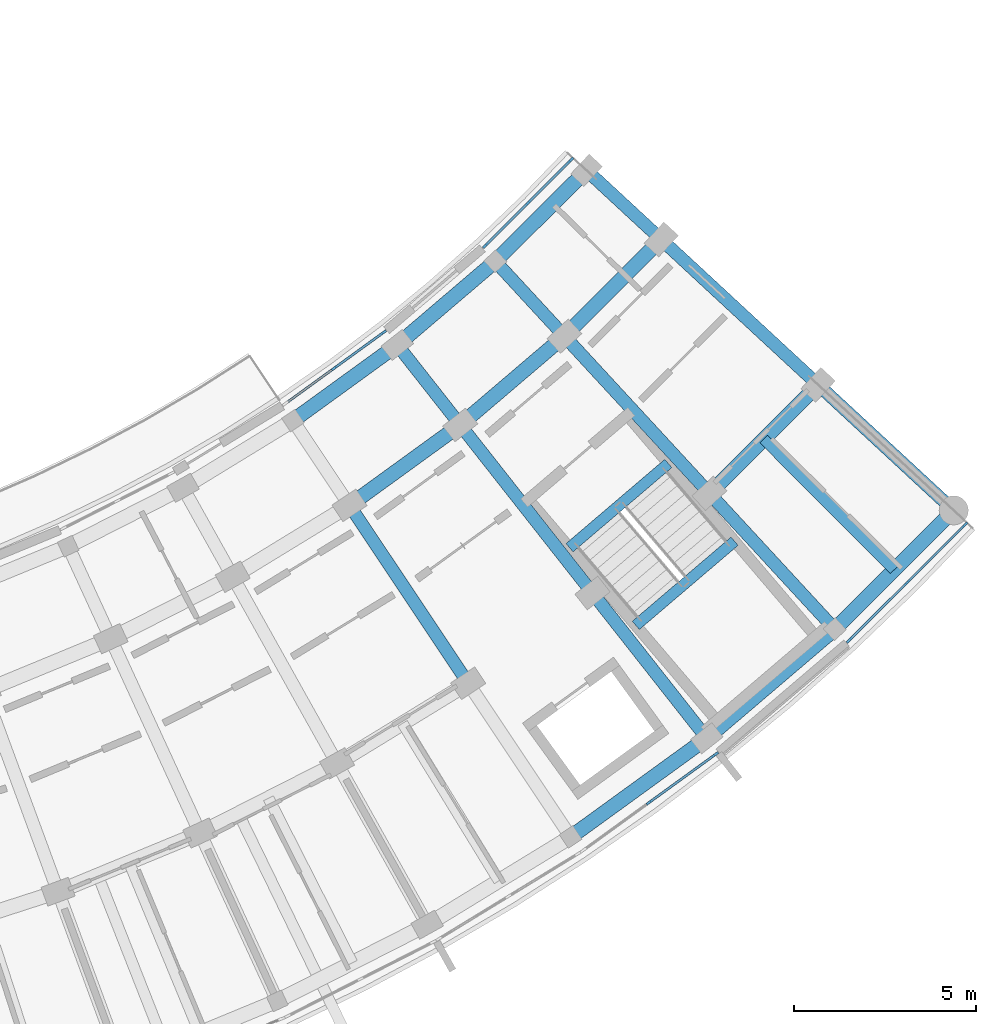
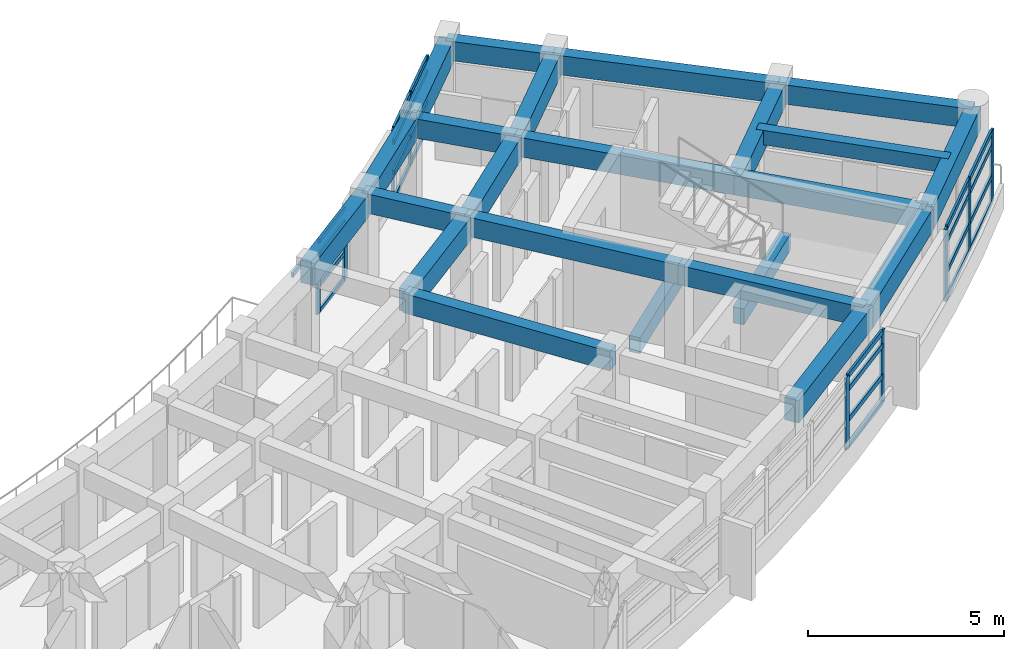
# One storey, part 19 of 56: 35 members, 23 beams, 4 elements without a shape of their own.
"""IFC4 building model written with IfcOpenShell, lengths in metres."""

from ifc_helpers import new_model, si_unit, direction, frame, origin, origin_2d, place, context, subcontext, project, spatial, rectangle, extrude, material, material_profile, profile_set, type_object, element, aggregate, save


model = new_model("IFC4")

# Units and contexts
model_context = context("Model", 3, precision=1e-05, world=origin(), true_north=direction((0.0, 1.0)))
body_context = subcontext(model_context, "Body", "Model", "MODEL_VIEW")
ifc_project = project(units=[si_unit("LENGTHUNIT", "METRE"), si_unit("AREAUNIT", "SQUARE_METRE"), si_unit("VOLUMEUNIT", "CUBIC_METRE"), si_unit("PLANEANGLEUNIT", "RADIAN"), si_unit("MASSUNIT", "GRAM", prefix="KILO")], contexts=[model_context])

# Site, building, storey
site_placement = place(None, origin())
site = spatial("IfcSite", under=ifc_project, at=site_placement, CompositionType="ELEMENT")
building_placement = place(site_placement, origin())
building = spatial("IfcBuilding", under=site, at=building_placement, Name="Zimvara Arc Housing Community", CompositionType="ELEMENT")
storey_placement = place(building_placement, frame((0.0, 0.0, 17.39990234375)))
storey = spatial("IfcBuildingStorey", under=building, at=storey_placement, Name="L05", CompositionType="ELEMENT", Elevation=17.39990234375)

# Beams
ifc_material_1 = material(Name="Concrete C40/50", Category="concrete")
ifc_material_profile_1 = material_profile(ifc_material_1, rectangle(XDim=0.300048828125, YDim=0.449951171875, at=origin_2d()), Name="RC 300x450")
ifc_profile_set_1 = profile_set([ifc_material_profile_1], Name="Concrete C40/50")
beam_type_1 = type_object("IfcBeamType", Name="BM-RC-300x450", PredefinedType="JOIST", material=ifc_profile_set_1)
beam_1_placement = place(storey_placement, frame((163.959716796875, 71.813720703125, 2.64501953125), z_axis=(0.706529394337, -0.707683696956, 0.0), x_axis=(0.707683696956, 0.706529394337, 0.0)))
element("IfcBeam", 1, at=beam_1_placement, inside=storey, type_object=beam_type_1, Name="bm:blkD:L05:joist:b9", PredefinedType="JOIST", context=body_context, shape_type="SweptSolid", body=[
    extrude(rectangle(XDim=0.300048828125, YDim=0.449951171875, at=origin_2d()), origin(), (0.0, 0.0, 1.0), 5.076171875),
])
ifc_material_2 = material(Name="Concrete C40/50", Category="concrete")
ifc_material_profile_2 = material_profile(ifc_material_2, rectangle(XDim=0.300048828125, YDim=0.5, at=origin_2d()), Name="RC 300x500")
ifc_profile_set_2 = profile_set([ifc_material_profile_2], Name="Concrete C40/50")
beam_type_2 = type_object("IfcBeamType", Name="BM-RC-300x500", PredefinedType="BEAM", material=ifc_profile_set_2)
for number, where, z_axis, x_axis, name in (
    (2, (158.617919921875, 68.826904296875, -0.25), (0.760986863652, 0.648767287515, 0.0), (-0.648767287515, 0.760986863652, 0.0), "bm:stair_trim:ST-D2:L05:near"),
    (3, (160.439697265625, 66.690185546875, 1.300048828125), (0.760986863652, 0.648767287515, 0.0), (-0.648767287515, 0.760986863652, 0.0), "bm:stair_trim:ST-D2:L05:mid"),
):
    element("IfcBeam", number, at=place(storey_placement, frame(where, z_axis=z_axis, x_axis=x_axis)), inside=storey, type_object=beam_type_2, Name=name, PredefinedType="BEAM", context=body_context, shape_type="SweptSolid", body=[
        extrude(rectangle(XDim=0.300048828125, YDim=0.5, at=origin_2d()), origin(), (0.0, 0.0, 1.0), 3.570068359375),
    ])
ifc_material_3 = material(Name="Concrete C40/50", Category="concrete")
ifc_material_profile_3 = material_profile(ifc_material_3, rectangle(XDim=0.35009765625, YDim=0.60009765625, at=origin_2d()), Name="RC 350x600")
ifc_profile_set_3 = profile_set([ifc_material_profile_3], Name="Concrete C40/50")
beam_type_3 = type_object("IfcBeamType", Name="BM-RC-350x600", PredefinedType="BEAM", material=ifc_profile_set_3)
beam_2_placement = place(storey_placement, frame((152.568115234375, 69.99267578125, 2.570068359375), z_axis=(0.554843914175, -0.831954464441, 0.0), x_axis=(0.831954464441, 0.554843914175, 0.0)))
element("IfcBeam", 4, at=beam_2_placement, inside=storey, type_object=beam_type_3, Name="bm:blkD:L05:rad:b7:r12", PredefinedType="BEAM", context=body_context, shape_type="SweptSolid", body=[
    extrude(rectangle(XDim=0.35009765625, YDim=0.60009765625, at=origin_2d()), origin(), (0.0, 0.0, 1.0), 5.8798828125),
])
beam_3_placement = place(storey_placement, frame((153.882568359375, 74.402099609375, 2.570068359375), z_axis=(0.618379767762, -0.785879420028, 0.0), x_axis=(0.785879420028, 0.618379767762, 0.0)))
element("IfcBeam", 5, at=beam_3_placement, inside=storey, type_object=beam_type_3, Name="bm:blkD:L05:rad:b8:r01", PredefinedType="BEAM", context=body_context, shape_type="SweptSolid", body=[
    extrude(rectangle(XDim=0.35009765625, YDim=0.60009765625, at=origin_2d()), origin(), (0.0, 0.0, 1.0), 2.800048828125),
])
beam_4_placement = place(storey_placement, frame((155.614013671875, 72.20166015625, 2.570068359375), z_axis=(0.618431976389, -0.785838336161, 0.0), x_axis=(0.785838336161, 0.618431976389, 0.0)))
element("IfcBeam", 6, at=beam_4_placement, inside=storey, type_object=beam_type_3, Name="bm:blkD:L05:rad:b8:r12", PredefinedType="BEAM", context=body_context, shape_type="SweptSolid", body=[
    extrude(rectangle(XDim=0.35009765625, YDim=0.60009765625, at=origin_2d()), origin(), (0.0, 0.0, 1.0), 5.880126953125),
])
beam_5_placement = place(storey_placement, frame((159.25048828125, 67.580810546875, 2.570068359375), z_axis=(0.618409338539, -0.785856150964, 0.0), x_axis=(0.785856150964, 0.618409338539, 0.0)))
element("IfcBeam", 7, at=beam_5_placement, inside=storey, type_object=beam_type_3, Name="bm:blkD:L05:rad:b8:r23", PredefinedType="BEAM", context=body_context, shape_type="SweptSolid", body=[
    extrude(rectangle(XDim=0.35009765625, YDim=0.60009765625, at=origin_2d()), origin(), (0.0, 0.0, 1.0), 5.079833984375),
])
beam_6_placement = place(storey_placement, frame((156.57861328125, 76.70068359375, 2.570068359375), z_axis=(0.678109874626, -0.734960541754, 0.0), x_axis=(0.734960541754, 0.678109874626, 0.0)))
element("IfcBeam", 8, at=beam_6_placement, inside=storey, type_object=beam_type_3, Name="bm:blkD:L05:rad:b9:r01", PredefinedType="BEAM", context=body_context, shape_type="SweptSolid", body=[
    extrude(rectangle(XDim=0.35009765625, YDim=0.60009765625, at=origin_2d()), origin(), (0.0, 0.0, 1.0), 2.800048828125),
])
beam_7_placement = place(storey_placement, frame((158.477294921875, 74.642822265625, 2.570068359375), z_axis=(0.678180078146, -0.734895762409, 0.0), x_axis=(0.734895762409, 0.678180078146, 0.0)))
element("IfcBeam", 9, at=beam_7_placement, inside=storey, type_object=beam_type_3, Name="bm:blkD:L05:rad:b9:r12", PredefinedType="BEAM", context=body_context, shape_type="SweptSolid", body=[
    extrude(rectangle(XDim=0.35009765625, YDim=0.60009765625, at=origin_2d()), origin(), (0.0, 0.0, 1.0), 5.880126953125),
])
beam_8_placement = place(storey_placement, frame((162.465087890625, 70.321533203125, 2.570068359375), z_axis=(0.678158334116, -0.734915827744, 0.0), x_axis=(0.734915827744, 0.678158334116, 0.0)))
element("IfcBeam", 10, at=beam_8_placement, inside=storey, type_object=beam_type_3, Name="bm:blkD:L05:rad:b9:r23", PredefinedType="BEAM", context=body_context, shape_type="SweptSolid", body=[
    extrude(rectangle(XDim=0.35009765625, YDim=0.60009765625, at=origin_2d()), origin(), (0.0, 0.0, 1.0), 5.080078125),
])
beam_9_placement = place(storey_placement, frame((159.0859375, 79.20361328125, 2.570068359375), z_axis=(0.733746184278, -0.679423680083, 0.0), x_axis=(0.679423680083, 0.733746184278, 0.0)))
element("IfcBeam", 11, at=beam_9_placement, inside=storey, type_object=beam_type_3, Name="bm:blkD:L05:rad:b10:r01", PredefinedType="BEAM", context=body_context, shape_type="SweptSolid", body=[
    extrude(rectangle(XDim=0.35009765625, YDim=0.60009765625, at=origin_2d()), origin(), (0.0, 0.0, 1.0), 2.800048828125),
])
beam_10_placement = place(storey_placement, frame((161.140380859375, 77.30126953125, 2.570068359375), z_axis=(0.733720040868, -0.679451912668, 0.0), x_axis=(0.679451912668, 0.733720040868, 0.0)))
element("IfcBeam", 12, at=beam_10_placement, inside=storey, type_object=beam_type_3, Name="bm:blkD:L05:rad:b10:r12", PredefinedType="BEAM", context=body_context, shape_type="SweptSolid", body=[
    extrude(rectangle(XDim=0.35009765625, YDim=0.60009765625, at=origin_2d()), origin(), (0.0, 0.0, 1.0), 5.8798828125),
])
beam_11_placement = place(storey_placement, frame((165.45458984375, 73.30615234375, 2.570068359375), z_axis=(0.733737603291, -0.679432947035, 0.0), x_axis=(0.679432947035, 0.733737603291, 0.0)))
element("IfcBeam", 13, at=beam_11_placement, inside=storey, type_object=beam_type_3, Name="bm:blkD:L05:rad:b10:r23", PredefinedType="BEAM", context=body_context, shape_type="SweptSolid", body=[
    extrude(rectangle(XDim=0.35009765625, YDim=0.60009765625, at=origin_2d()), origin(), (0.0, 0.0, 1.0), 5.080322265625),
])
ifc_material_4 = material(Name="Concrete C40/50", Category="concrete")
ifc_material_profile_4 = material_profile(ifc_material_4, rectangle(XDim=0.39990234375, YDim=0.699951171875, at=origin_2d()), Name="RC 400x700")
ifc_profile_set_4 = profile_set([ifc_material_profile_4], Name="Concrete C40/50")
beam_type_4 = type_object("IfcBeamType", Name="BM-RC-400x700", PredefinedType="BEAM", material=ifc_profile_set_4)
beam_12_placement = place(storey_placement, frame((151.0146484375, 72.322265625, 2.52001953125), z_axis=(0.809531019898, 0.587077105517, 0.0), x_axis=(-0.587077105517, 0.809531019898, 0.0)))
element("IfcBeam", 14, at=beam_12_placement, inside=storey, type_object=beam_type_4, Name="bm:blkD:L05:chord:r0:b7", PredefinedType="BEAM", context=body_context, shape_type="SweptSolid", body=[
    extrude(rectangle(XDim=0.39990234375, YDim=0.699951171875, at=origin_2d()), origin(), (0.0, 0.0, 1.0), 3.542724609375),
])
beam_13_placement = place(storey_placement, frame((153.882568359375, 74.402099609375, 2.52001953125), z_axis=(0.760971029961, 0.648785859556, 0.0), x_axis=(-0.648785859556, 0.760971029961, 0.0)))
element("IfcBeam", 15, at=beam_13_placement, inside=storey, type_object=beam_type_4, Name="bm:blkD:L05:chord:r0:b8", PredefinedType="BEAM", context=body_context, shape_type="SweptSolid", body=[
    extrude(rectangle(XDim=0.39990234375, YDim=0.699951171875, at=origin_2d()), origin(), (0.0, 0.0, 1.0), 3.54296875),
])
beam_14_placement = place(storey_placement, frame((156.57861328125, 76.70068359375, 2.52001953125), z_axis=(0.70772671761, 0.706486300773, 0.0), x_axis=(-0.706486300773, 0.70772671761, 0.0)))
element("IfcBeam", 16, at=beam_14_placement, inside=storey, type_object=beam_type_4, Name="bm:blkD:L05:chord:r0:b9", PredefinedType="BEAM", context=body_context, shape_type="SweptSolid", body=[
    extrude(rectangle(XDim=0.39990234375, YDim=0.699951171875, at=origin_2d()), origin(), (0.0, 0.0, 1.0), 3.542724609375),
])
for number, where, z_axis, x_axis, name in (
    (17, (152.568115234375, 69.99267578125, 2.52001953125), (0.809521012702, 0.58709090437, 0.0), (-0.58709090437, 0.809521012702, 0.0), "bm:blkD:L05:chord:r1:b7"),
    (18, (155.614013671875, 72.20166015625, 2.52001953125), (0.760971502801, 0.648785304955, 0.0), (-0.648785304955, 0.760971502801, 0.0), "bm:blkD:L05:chord:r1:b8"),
):
    element("IfcBeam", number, at=place(storey_placement, frame(where, z_axis=z_axis, x_axis=x_axis)), inside=storey, type_object=beam_type_4, Name=name, PredefinedType="BEAM", context=body_context, shape_type="SweptSolid", body=[
        extrude(rectangle(XDim=0.39990234375, YDim=0.699951171875, at=origin_2d()), origin(), (0.0, 0.0, 1.0), 3.7626953125),
    ])
beam_15_placement = place(storey_placement, frame((158.477294921875, 74.642822265625, 2.52001953125), z_axis=(0.707722882862, 0.706490142234, 0.0), x_axis=(-0.706490142234, 0.707722882862, 0.0)))
element("IfcBeam", 19, at=beam_15_placement, inside=storey, type_object=beam_type_4, Name="bm:blkD:L05:chord:r1:b9", PredefinedType="BEAM", context=body_context, shape_type="SweptSolid", body=[
    extrude(rectangle(XDim=0.39990234375, YDim=0.699951171875, at=origin_2d()), origin(), (0.0, 0.0, 1.0), 3.762939453125),
])
beam_16_placement = place(storey_placement, frame((162.465087890625, 70.321533203125, 2.52001953125), z_axis=(0.707684482516, 0.706528607493, 0.0), x_axis=(-0.706528607493, 0.707684482516, 0.0)))
element("IfcBeam", 20, at=beam_16_placement, inside=storey, type_object=beam_type_4, Name="bm:blkD:L05:chord:r2:b9", PredefinedType="BEAM", context=body_context, shape_type="SweptSolid", body=[
    extrude(rectangle(XDim=0.39990234375, YDim=0.699951171875, at=origin_2d()), origin(), (0.0, 0.0, 1.0), 4.224365234375),
])
for number, where, z_axis, x_axis, name in (
    (21, (158.649169921875, 60.87451171875, 2.52001953125), (0.809516329672, 0.587097361598, 0.0), (-0.587097361598, 0.809516329672, 0.0), "bm:blkD:L05:chord:r3:b7"),
    (22, (162.391845703125, 63.5888671875, 2.52001953125), (0.761009534972, 0.648740693715, 0.0), (-0.648740693715, 0.761009534972, 0.0), "bm:blkD:L05:chord:r3:b8"),
    (23, (165.91015625, 66.588134765625, 2.52001953125), (0.707713796096, 0.706499244738, 0.0), (-0.706499244738, 0.707713796096, 0.0), "bm:blkD:L05:chord:r3:b9"),
):
    element("IfcBeam", number, at=place(storey_placement, frame(where, z_axis=z_axis, x_axis=x_axis)), inside=storey, type_object=beam_type_4, Name=name, PredefinedType="BEAM", context=body_context, shape_type="SweptSolid", body=[
        extrude(rectangle(XDim=0.39990234375, YDim=0.699951171875, at=origin_2d()), origin(), (0.0, 0.0, 1.0), 4.623291015625),
    ])

# Curtain wall, members
ifc_material_5 = material(Name="Anodised Aluminium AW-6063", Category="aluminium")
curtain_wall_type_1 = type_object("IfcCurtainWallType", Name="CW-SYS-02", PredefinedType="USERDEFINED", material=ifc_material_5)
curtain_wall_1_placement = place(storey_placement, origin())
curtain_wall_1 = element("IfcCurtainWall", 24, at=curtain_wall_1_placement, inside=storey, type_object=curtain_wall_type_1, Name="cw:blkD:L05:in:b7", ObjectType="CURTAIN WALL", PredefinedType="USERDEFINED")
ifc_material_6 = material(Name="Anodised Aluminium AW-6063", Category="aluminium")
ifc_material_profile_5 = material_profile(ifc_material_6, rectangle(XDim=0.06494140625, YDim=0.179931640625, at=origin_2d()), Name="ALU 65x180")
ifc_profile_set_5 = profile_set([ifc_material_profile_5], Name="Anodised Aluminium AW-6063")
member_type_1 = type_object("IfcMemberType", Name="CWM-65x150", PredefinedType="MULLION", material=ifc_profile_set_5)
member_1_placement = place(storey_placement, frame((152.1552734375, 73.7666015625, 0.0), z_axis=(0.0, 0.0, 1.0), x_axis=(-0.587079343755, 0.809529396709, 0.0)))
member_1 = element("IfcMember", 25, at=member_1_placement, type_object=member_type_1, Name="CW02 mullion 2", PredefinedType="MULLION", context=body_context, shape_type="SweptSolid", body=[
    extrude(rectangle(XDim=0.06494140625, YDim=0.179931640625, at=origin_2d()), origin(), (0.0, 0.0, 1.0), 2.25),
])
member_2_placement = place(storey_placement, frame((153.49853515625, 74.74072265625, 0.0), z_axis=(0.0, 0.0, 1.0), x_axis=(-0.587079343755, 0.809529396709, 0.0)))
member_2 = element("IfcMember", 26, at=member_2_placement, type_object=member_type_1, Name="CW02 mullion 3", PredefinedType="MULLION", context=body_context, shape_type="SweptSolid", body=[
    extrude(rectangle(XDim=0.06494140625, YDim=0.179931640625, at=origin_2d()), origin(), (0.0, 0.0, 1.0), 2.25),
])

ifc_material_7 = material(Name="Anodised Aluminium AW-6063", Category="aluminium")
curtain_wall_type_2 = type_object("IfcCurtainWallType", Name="CW-SYS-04", PredefinedType="USERDEFINED", material=ifc_material_7)
curtain_wall_2_placement = place(storey_placement, origin())
curtain_wall_2 = element("IfcCurtainWall", 27, at=curtain_wall_2_placement, inside=storey, type_object=curtain_wall_type_2, Name="cw:blkD:L05:in:b9", ObjectType="CURTAIN WALL", PredefinedType="USERDEFINED")
member_3_placement = place(storey_placement, frame((156.304931640625, 77.133544921875, 0.0), z_axis=(0.0, 0.0, 1.0), x_axis=(-0.706490294632, 0.707722730729, 0.0)))
member_3 = element("IfcMember", 28, at=member_3_placement, type_object=member_type_1, Name="CW04 mullion 1", PredefinedType="MULLION", context=body_context, shape_type="SweptSolid", body=[
    extrude(rectangle(XDim=0.06494140625, YDim=0.179931640625, at=origin_2d()), origin(), (0.0, 0.0, 1.0), 2.25),
])
member_4_placement = place(storey_placement, frame((157.479248046875, 78.3056640625, 0.0), z_axis=(0.0, 0.0, 1.0), x_axis=(-0.706490294632, 0.707722730729, 0.0)))
member_4 = element("IfcMember", 29, at=member_4_placement, type_object=member_type_1, Name="CW04 mullion 2", PredefinedType="MULLION", context=body_context, shape_type="SweptSolid", body=[
    extrude(rectangle(XDim=0.06494140625, YDim=0.179931640625, at=origin_2d()), origin(), (0.0, 0.0, 1.0), 2.25),
])
member_5_placement = place(storey_placement, frame((158.653564453125, 79.47802734375, 0.0), z_axis=(0.0, 0.0, 1.0), x_axis=(-0.706490294632, 0.707722730729, 0.0)))
member_5 = element("IfcMember", 30, at=member_5_placement, type_object=member_type_1, Name="CW04 mullion 3", PredefinedType="MULLION", context=body_context, shape_type="SweptSolid", body=[
    extrude(rectangle(XDim=0.06494140625, YDim=0.179931640625, at=origin_2d()), origin(), (0.0, 0.0, 1.0), 2.25),
])

ifc_material_8 = material(Name="Anodised Aluminium AW-6063", Category="aluminium")
curtain_wall_type_3 = type_object("IfcCurtainWallType", Name="CW-SYS-01", PredefinedType="USERDEFINED", material=ifc_material_8)
curtain_wall_3_placement = place(storey_placement, origin())
curtain_wall_3 = element("IfcCurtainWall", 31, at=curtain_wall_3_placement, inside=storey, type_object=curtain_wall_type_3, Name="cw:blkD:L05:out:b7", ObjectType="CURTAIN WALL", PredefinedType="USERDEFINED")
ifc_material_9 = material(Name="Anodised Aluminium AW-6063", Category="aluminium")
ifc_material_profile_6 = material_profile(ifc_material_9, rectangle(XDim=0.06494140625, YDim=0.195068359375, at=origin_2d()), Name="ALU 65x195")
ifc_profile_set_6 = profile_set([ifc_material_profile_6], Name="Anodised Aluminium AW-6063")
member_type_2 = type_object("IfcMemberType", Name="CWM-65x180", PredefinedType="MULLION", material=ifc_profile_set_6)
member_6_placement = place(storey_placement, frame((160.81396484375, 61.8271484375, 0.0), z_axis=(0.0, 0.0, 1.0), x_axis=(-0.587077917196, 0.809530431263, 0.0)))
member_6 = element("IfcMember", 32, at=member_6_placement, type_object=member_type_2, Name="CW01 mullion 2", PredefinedType="MULLION", context=body_context, shape_type="SweptSolid", body=[
    extrude(rectangle(XDim=0.06494140625, YDim=0.195068359375, at=origin_2d()), origin(), (0.0, 0.0, 1.0), 2.25),
])
member_7_placement = place(storey_placement, frame((162.626220703125, 63.1416015625, 0.0), z_axis=(0.0, 0.0, 1.0), x_axis=(-0.587077917196, 0.809530431263, 0.0)))
member_7 = element("IfcMember", 33, at=member_7_placement, type_object=member_type_2, Name="CW01 mullion 3", PredefinedType="MULLION", context=body_context, shape_type="SweptSolid", body=[
    extrude(rectangle(XDim=0.06494140625, YDim=0.195068359375, at=origin_2d()), origin(), (0.0, 0.0, 1.0), 2.25),
])

ifc_material_10 = material(Name="Anodised Aluminium AW-6063", Category="aluminium")
curtain_wall_type_4 = type_object("IfcCurtainWallType", Name="CW-SYS-03", PredefinedType="USERDEFINED", material=ifc_material_10)
curtain_wall_4_placement = place(storey_placement, origin())
curtain_wall_4 = element("IfcCurtainWall", 34, at=curtain_wall_4_placement, inside=storey, type_object=curtain_wall_type_4, Name="cw:blkD:L05:out:b9", ObjectType="CURTAIN WALL", PredefinedType="USERDEFINED")
member_8_placement = place(storey_placement, frame((166.314697265625, 66.2861328125, 0.0), z_axis=(0.0, 0.0, 1.0), x_axis=(-0.706489010891, 0.707724012233, 0.0)))
member_8 = element("IfcMember", 35, at=member_8_placement, type_object=member_type_2, Name="CW03 mullion 1", PredefinedType="MULLION", context=body_context, shape_type="SweptSolid", body=[
    extrude(rectangle(XDim=0.06494140625, YDim=0.195068359375, at=origin_2d()), origin(), (0.0, 0.0, 1.0), 2.25),
])
member_9_placement = place(storey_placement, frame((167.89892578125, 67.86767578125, 0.0), z_axis=(0.0, 0.0, 1.0), x_axis=(-0.706489010891, 0.707724012233, 0.0)))
member_9 = element("IfcMember", 36, at=member_9_placement, type_object=member_type_2, Name="CW03 mullion 2", PredefinedType="MULLION", context=body_context, shape_type="SweptSolid", body=[
    extrude(rectangle(XDim=0.06494140625, YDim=0.195068359375, at=origin_2d()), origin(), (0.0, 0.0, 1.0), 2.25),
])
member_10_placement = place(storey_placement, frame((169.4833984375, 69.449462890625, 0.0), z_axis=(0.0, 0.0, 1.0), x_axis=(-0.706489010891, 0.707724012233, 0.0)))
member_10 = element("IfcMember", 37, at=member_10_placement, type_object=member_type_2, Name="CW03 mullion 3", PredefinedType="MULLION", context=body_context, shape_type="SweptSolid", body=[
    extrude(rectangle(XDim=0.06494140625, YDim=0.195068359375, at=origin_2d()), origin(), (0.0, 0.0, 1.0), 2.25),
])

# Member
ifc_material_11 = material(Name="Anodised Aluminium AW-6063", Category="aluminium")
ifc_material_profile_7 = material_profile(ifc_material_11, rectangle(XDim=0.06494140625, YDim=0.139892578125, at=origin_2d()), Name="ALU 65x140")
ifc_profile_set_7 = profile_set([ifc_material_profile_7], Name="Anodised Aluminium AW-6063")
member_type_3 = type_object("IfcMemberType", Name="CWT-65x120", PredefinedType="USERDEFINED", material=ifc_profile_set_7)
member_11_placement = place(storey_placement, frame((150.83837890625, 72.8115234375, 2.217529296875), z_axis=(0.809490349774, 0.587133182185, 0.0), x_axis=(-0.587133182185, 0.809490349774, 0.0)))
member_11 = element("IfcMember", 38, at=member_11_placement, type_object=member_type_3, Name="CW02 transom 1.4", ObjectType="TRANSOM", PredefinedType="USERDEFINED", context=body_context, shape_type="SweptSolid", body=[
    extrude(rectangle(XDim=0.06494140625, YDim=0.139892578125, at=origin_2d()), origin(), (0.0, 0.0, 1.0), 1.59423828125),
])

member_12_placement = place(storey_placement, frame((152.181640625, 73.78564453125, 0.03271484375), z_axis=(0.809490349774, 0.587133182185, 0.0), x_axis=(-0.587133182185, 0.809490349774, 0.0)))
member_12 = element("IfcMember", 39, at=member_12_placement, type_object=member_type_3, Name="CW02 transom 2.1", ObjectType="TRANSOM", PredefinedType="USERDEFINED", context=body_context, shape_type="SweptSolid", body=[
    extrude(rectangle(XDim=0.06494140625, YDim=0.139892578125, at=origin_2d()), origin(), (0.0, 0.0, 1.0), 1.59423828125),
])

member_13_placement = place(storey_placement, frame((152.181640625, 73.78564453125, 0.85009765625), z_axis=(0.809490349774, 0.587133182185, 0.0), x_axis=(-0.587133182185, 0.809490349774, 0.0)))
member_13 = element("IfcMember", 40, at=member_13_placement, type_object=member_type_3, Name="CW02 transom 2.2", ObjectType="TRANSOM", PredefinedType="USERDEFINED", context=body_context, shape_type="SweptSolid", body=[
    extrude(rectangle(XDim=0.06494140625, YDim=0.139892578125, at=origin_2d()), origin(), (0.0, 0.0, 1.0), 1.59423828125),
])

member_14_placement = place(storey_placement, frame((152.181640625, 73.78564453125, 1.800048828125), z_axis=(0.809490349774, 0.587133182185, 0.0), x_axis=(-0.587133182185, 0.809490349774, 0.0)))
member_14 = element("IfcMember", 41, at=member_14_placement, type_object=member_type_3, Name="CW02 transom 2.3", ObjectType="TRANSOM", PredefinedType="USERDEFINED", context=body_context, shape_type="SweptSolid", body=[
    extrude(rectangle(XDim=0.06494140625, YDim=0.139892578125, at=origin_2d()), origin(), (0.0, 0.0, 1.0), 1.59423828125),
])

member_15_placement = place(storey_placement, frame((152.181640625, 73.78564453125, 2.217529296875), z_axis=(0.809490349774, 0.587133182185, 0.0), x_axis=(-0.587133182185, 0.809490349774, 0.0)))
member_15 = element("IfcMember", 42, at=member_15_placement, type_object=member_type_3, Name="CW02 transom 2.4", ObjectType="TRANSOM", PredefinedType="USERDEFINED", context=body_context, shape_type="SweptSolid", body=[
    extrude(rectangle(XDim=0.06494140625, YDim=0.139892578125, at=origin_2d()), origin(), (0.0, 0.0, 1.0), 1.59423828125),
])

aggregate(curtain_wall_1, [member_1, member_2, member_11, member_12, member_13, member_14, member_15])

member_16_placement = place(storey_placement, frame((156.327880859375, 77.156494140625, 0.03271484375), z_axis=(0.707795558339, 0.706417332457, 0.0), x_axis=(-0.706417332457, 0.707795558339, 0.0)))
member_16 = element("IfcMember", 43, at=member_16_placement, type_object=member_type_3, Name="CW04 transom 1.1", ObjectType="TRANSOM", PredefinedType="USERDEFINED", context=body_context, shape_type="SweptSolid", body=[
    extrude(rectangle(XDim=0.06494140625, YDim=0.139892578125, at=origin_2d()), origin(), (0.0, 0.0, 1.0), 1.59423828125),
])

member_17_placement = place(storey_placement, frame((156.327880859375, 77.156494140625, 0.85009765625), z_axis=(0.707795558339, 0.706417332457, 0.0), x_axis=(-0.706417332457, 0.707795558339, 0.0)))
member_17 = element("IfcMember", 44, at=member_17_placement, type_object=member_type_3, Name="CW04 transom 1.2", ObjectType="TRANSOM", PredefinedType="USERDEFINED", context=body_context, shape_type="SweptSolid", body=[
    extrude(rectangle(XDim=0.06494140625, YDim=0.139892578125, at=origin_2d()), origin(), (0.0, 0.0, 1.0), 1.59423828125),
])

member_18_placement = place(storey_placement, frame((156.327880859375, 77.156494140625, 1.800048828125), z_axis=(0.707795558339, 0.706417332457, 0.0), x_axis=(-0.706417332457, 0.707795558339, 0.0)))
member_18 = element("IfcMember", 45, at=member_18_placement, type_object=member_type_3, Name="CW04 transom 1.3", ObjectType="TRANSOM", PredefinedType="USERDEFINED", context=body_context, shape_type="SweptSolid", body=[
    extrude(rectangle(XDim=0.06494140625, YDim=0.139892578125, at=origin_2d()), origin(), (0.0, 0.0, 1.0), 1.59423828125),
])

member_19_placement = place(storey_placement, frame((156.327880859375, 77.156494140625, 2.217529296875), z_axis=(0.707795558339, 0.706417332457, 0.0), x_axis=(-0.706417332457, 0.707795558339, 0.0)))
member_19 = element("IfcMember", 46, at=member_19_placement, type_object=member_type_3, Name="CW04 transom 1.4", ObjectType="TRANSOM", PredefinedType="USERDEFINED", context=body_context, shape_type="SweptSolid", body=[
    extrude(rectangle(XDim=0.06494140625, YDim=0.139892578125, at=origin_2d()), origin(), (0.0, 0.0, 1.0), 1.59423828125),
])

member_20_placement = place(storey_placement, frame((157.502197265625, 78.32861328125, 0.03271484375), z_axis=(0.707718994505, 0.706494037354, 0.0), x_axis=(-0.706494037354, 0.707718994505, 0.0)))
member_20 = element("IfcMember", 47, at=member_20_placement, type_object=member_type_3, Name="CW04 transom 2.1", ObjectType="TRANSOM", PredefinedType="USERDEFINED", context=body_context, shape_type="SweptSolid", body=[
    extrude(rectangle(XDim=0.06494140625, YDim=0.139892578125, at=origin_2d()), origin(), (0.0, 0.0, 1.0), 1.594482421875),
])

member_21_placement = place(storey_placement, frame((157.502197265625, 78.32861328125, 0.85009765625), z_axis=(0.707718994505, 0.706494037354, 0.0), x_axis=(-0.706494037354, 0.707718994505, 0.0)))
member_21 = element("IfcMember", 48, at=member_21_placement, type_object=member_type_3, Name="CW04 transom 2.2", ObjectType="TRANSOM", PredefinedType="USERDEFINED", context=body_context, shape_type="SweptSolid", body=[
    extrude(rectangle(XDim=0.06494140625, YDim=0.139892578125, at=origin_2d()), origin(), (0.0, 0.0, 1.0), 1.594482421875),
])

member_22_placement = place(storey_placement, frame((157.502197265625, 78.32861328125, 1.800048828125), z_axis=(0.707718994505, 0.706494037354, 0.0), x_axis=(-0.706494037354, 0.707718994505, 0.0)))
member_22 = element("IfcMember", 49, at=member_22_placement, type_object=member_type_3, Name="CW04 transom 2.3", ObjectType="TRANSOM", PredefinedType="USERDEFINED", context=body_context, shape_type="SweptSolid", body=[
    extrude(rectangle(XDim=0.06494140625, YDim=0.139892578125, at=origin_2d()), origin(), (0.0, 0.0, 1.0), 1.594482421875),
])

member_23_placement = place(storey_placement, frame((157.502197265625, 78.32861328125, 2.217529296875), z_axis=(0.707718994505, 0.706494037354, 0.0), x_axis=(-0.706494037354, 0.707718994505, 0.0)))
member_23 = element("IfcMember", 50, at=member_23_placement, type_object=member_type_3, Name="CW04 transom 2.4", ObjectType="TRANSOM", PredefinedType="USERDEFINED", context=body_context, shape_type="SweptSolid", body=[
    extrude(rectangle(XDim=0.06494140625, YDim=0.139892578125, at=origin_2d()), origin(), (0.0, 0.0, 1.0), 1.594482421875),
])

aggregate(curtain_wall_2, [member_3, member_4, member_5, member_16, member_17, member_18, member_19, member_20, member_21, member_22, member_23])

ifc_material_12 = material(Name="Anodised Aluminium AW-6063", Category="aluminium")
ifc_material_profile_8 = material_profile(ifc_material_12, rectangle(XDim=0.06494140625, YDim=0.155029296875, at=origin_2d()), Name="ALU 65x155")
ifc_profile_set_8 = profile_set([ifc_material_profile_8], Name="Anodised Aluminium AW-6063")
member_type_4 = type_object("IfcMemberType", Name="CWT-65x140", PredefinedType="USERDEFINED", material=ifc_profile_set_8)
member_24_placement = place(storey_placement, frame((160.840087890625, 61.84619140625, 0.03271484375), z_axis=(0.80954639163, 0.587055908581, 0.0), x_axis=(-0.587055908581, 0.80954639163, 0.0)))
member_24 = element("IfcMember", 51, at=member_24_placement, type_object=member_type_4, Name="CW01 transom 2.1", ObjectType="TRANSOM", PredefinedType="USERDEFINED", context=body_context, shape_type="SweptSolid", body=[
    extrude(rectangle(XDim=0.06494140625, YDim=0.155029296875, at=origin_2d()), origin(), (0.0, 0.0, 1.0), 2.173828125),
])

member_25_placement = place(storey_placement, frame((160.840087890625, 61.84619140625, 0.85009765625), z_axis=(0.80954639163, 0.587055908581, 0.0), x_axis=(-0.587055908581, 0.80954639163, 0.0)))
member_25 = element("IfcMember", 52, at=member_25_placement, type_object=member_type_4, Name="CW01 transom 2.2", ObjectType="TRANSOM", PredefinedType="USERDEFINED", context=body_context, shape_type="SweptSolid", body=[
    extrude(rectangle(XDim=0.06494140625, YDim=0.155029296875, at=origin_2d()), origin(), (0.0, 0.0, 1.0), 2.173828125),
])

member_26_placement = place(storey_placement, frame((160.840087890625, 61.84619140625, 1.800048828125), z_axis=(0.80954639163, 0.587055908581, 0.0), x_axis=(-0.587055908581, 0.80954639163, 0.0)))
member_26 = element("IfcMember", 53, at=member_26_placement, type_object=member_type_4, Name="CW01 transom 2.3", ObjectType="TRANSOM", PredefinedType="USERDEFINED", context=body_context, shape_type="SweptSolid", body=[
    extrude(rectangle(XDim=0.06494140625, YDim=0.155029296875, at=origin_2d()), origin(), (0.0, 0.0, 1.0), 2.173828125),
])

member_27_placement = place(storey_placement, frame((160.840087890625, 61.84619140625, 2.217529296875), z_axis=(0.80954639163, 0.587055908581, 0.0), x_axis=(-0.587055908581, 0.80954639163, 0.0)))
member_27 = element("IfcMember", 54, at=member_27_placement, type_object=member_type_4, Name="CW01 transom 2.4", ObjectType="TRANSOM", PredefinedType="USERDEFINED", context=body_context, shape_type="SweptSolid", body=[
    extrude(rectangle(XDim=0.06494140625, YDim=0.155029296875, at=origin_2d()), origin(), (0.0, 0.0, 1.0), 2.173828125),
])

aggregate(curtain_wall_3, [member_6, member_7, member_24, member_25, member_26, member_27])

member_28_placement = place(storey_placement, frame((166.337646484375, 66.30908203125, 0.03271484375), z_axis=(0.707724267801, 0.706488754875, 0.0), x_axis=(-0.706488754875, 0.707724267801, 0.0)))
member_28 = element("IfcMember", 55, at=member_28_placement, type_object=member_type_4, Name="CW03 transom 1.1", ObjectType="TRANSOM", PredefinedType="USERDEFINED", context=body_context, shape_type="SweptSolid", body=[
    extrude(rectangle(XDim=0.06494140625, YDim=0.155029296875, at=origin_2d()), origin(), (0.0, 0.0, 1.0), 2.173583984375),
])

member_29_placement = place(storey_placement, frame((166.337646484375, 66.30908203125, 0.85009765625), z_axis=(0.707724267801, 0.706488754875, 0.0), x_axis=(-0.706488754875, 0.707724267801, 0.0)))
member_29 = element("IfcMember", 56, at=member_29_placement, type_object=member_type_4, Name="CW03 transom 1.2", ObjectType="TRANSOM", PredefinedType="USERDEFINED", context=body_context, shape_type="SweptSolid", body=[
    extrude(rectangle(XDim=0.06494140625, YDim=0.155029296875, at=origin_2d()), origin(), (0.0, 0.0, 1.0), 2.173583984375),
])

member_30_placement = place(storey_placement, frame((166.337646484375, 66.30908203125, 1.800048828125), z_axis=(0.707724267801, 0.706488754875, 0.0), x_axis=(-0.706488754875, 0.707724267801, 0.0)))
member_30 = element("IfcMember", 57, at=member_30_placement, type_object=member_type_4, Name="CW03 transom 1.3", ObjectType="TRANSOM", PredefinedType="USERDEFINED", context=body_context, shape_type="SweptSolid", body=[
    extrude(rectangle(XDim=0.06494140625, YDim=0.155029296875, at=origin_2d()), origin(), (0.0, 0.0, 1.0), 2.173583984375),
])

member_31_placement = place(storey_placement, frame((166.337646484375, 66.30908203125, 2.217529296875), z_axis=(0.707724267801, 0.706488754875, 0.0), x_axis=(-0.706488754875, 0.707724267801, 0.0)))
member_31 = element("IfcMember", 58, at=member_31_placement, type_object=member_type_4, Name="CW03 transom 1.4", ObjectType="TRANSOM", PredefinedType="USERDEFINED", context=body_context, shape_type="SweptSolid", body=[
    extrude(rectangle(XDim=0.06494140625, YDim=0.155029296875, at=origin_2d()), origin(), (0.0, 0.0, 1.0), 2.173583984375),
])

member_32_placement = place(storey_placement, frame((167.922119140625, 67.890625, 0.03271484375), z_axis=(0.707668110429, 0.706545005985, 0.0), x_axis=(-0.706545005985, 0.707668110429, 0.0)))
member_32 = element("IfcMember", 59, at=member_32_placement, type_object=member_type_4, Name="CW03 transom 2.1", ObjectType="TRANSOM", PredefinedType="USERDEFINED", context=body_context, shape_type="SweptSolid", body=[
    extrude(rectangle(XDim=0.06494140625, YDim=0.155029296875, at=origin_2d()), origin(), (0.0, 0.0, 1.0), 2.173828125),
])

member_33_placement = place(storey_placement, frame((167.922119140625, 67.890625, 0.85009765625), z_axis=(0.707668110429, 0.706545005985, 0.0), x_axis=(-0.706545005985, 0.707668110429, 0.0)))
member_33 = element("IfcMember", 60, at=member_33_placement, type_object=member_type_4, Name="CW03 transom 2.2", ObjectType="TRANSOM", PredefinedType="USERDEFINED", context=body_context, shape_type="SweptSolid", body=[
    extrude(rectangle(XDim=0.06494140625, YDim=0.155029296875, at=origin_2d()), origin(), (0.0, 0.0, 1.0), 2.173828125),
])

member_34_placement = place(storey_placement, frame((167.922119140625, 67.890625, 1.800048828125), z_axis=(0.707668110429, 0.706545005985, 0.0), x_axis=(-0.706545005985, 0.707668110429, 0.0)))
member_34 = element("IfcMember", 61, at=member_34_placement, type_object=member_type_4, Name="CW03 transom 2.3", ObjectType="TRANSOM", PredefinedType="USERDEFINED", context=body_context, shape_type="SweptSolid", body=[
    extrude(rectangle(XDim=0.06494140625, YDim=0.155029296875, at=origin_2d()), origin(), (0.0, 0.0, 1.0), 2.173828125),
])

member_35_placement = place(storey_placement, frame((167.922119140625, 67.890625, 2.217529296875), z_axis=(0.707668110429, 0.706545005985, 0.0), x_axis=(-0.706545005985, 0.707668110429, 0.0)))
member_35 = element("IfcMember", 62, at=member_35_placement, type_object=member_type_4, Name="CW03 transom 2.4", ObjectType="TRANSOM", PredefinedType="USERDEFINED", context=body_context, shape_type="SweptSolid", body=[
    extrude(rectangle(XDim=0.06494140625, YDim=0.155029296875, at=origin_2d()), origin(), (0.0, 0.0, 1.0), 2.173828125),
])

aggregate(curtain_wall_4, [member_8, member_9, member_10, member_28, member_29, member_30, member_31, member_32, member_33, member_34, member_35])

save(model, "model.ifc")
